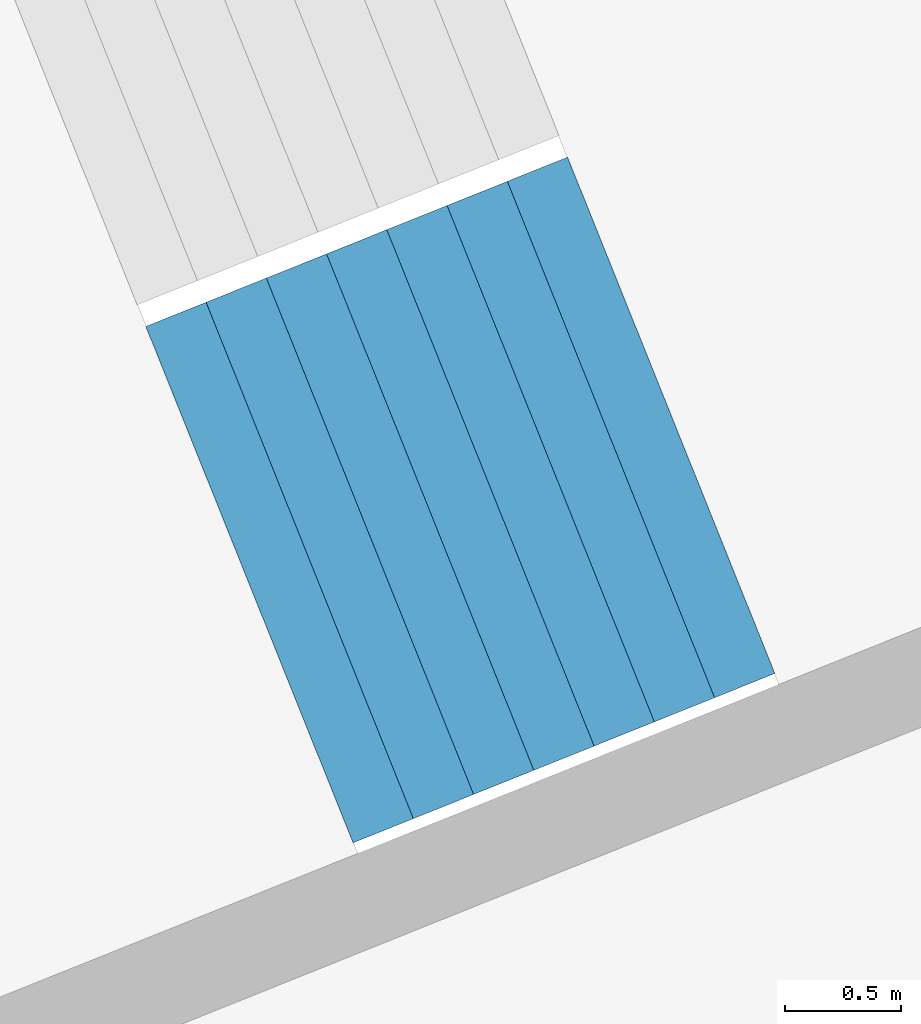
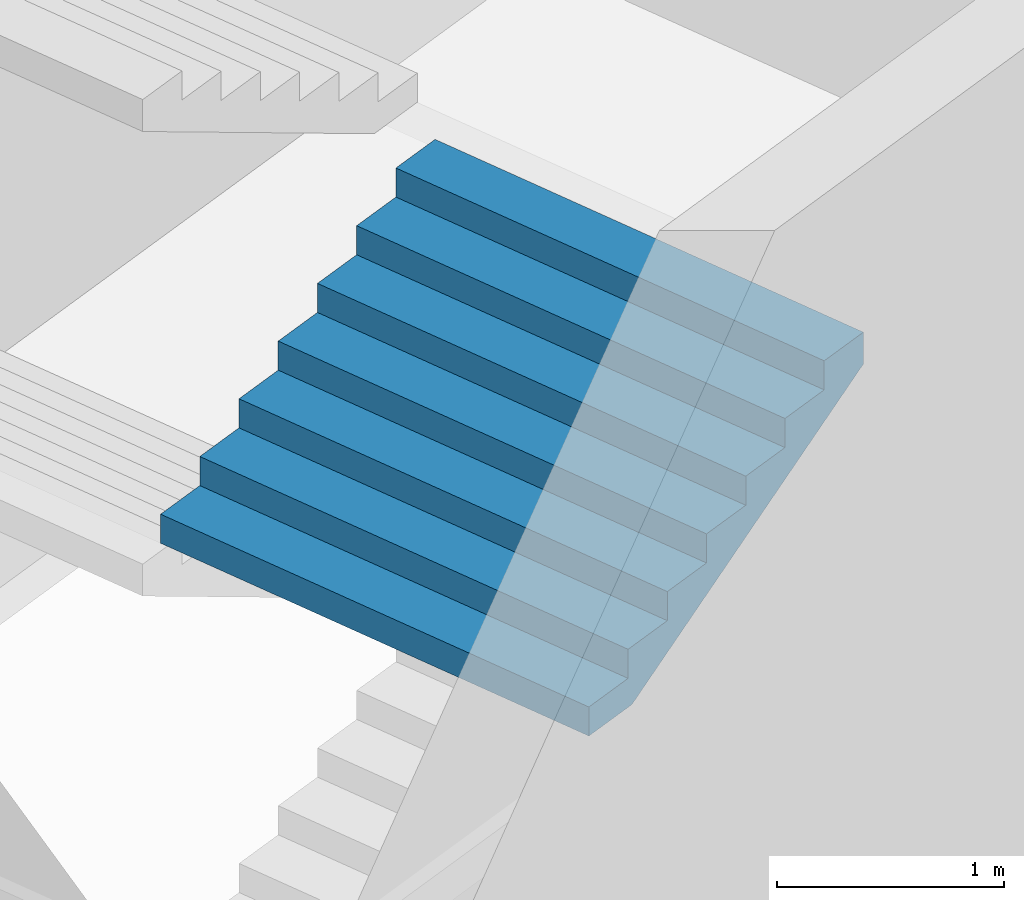
# One storey, part 66 of 73: 1 stair flight, 1 element without a shape of its own.
"""IFC4 building model written with IfcOpenShell, lengths in metres."""

from ifc_helpers import new_model, si_unit, direction, frame, origin, place, context, subcontext, project, spatial, triangles, material, type_object, element, aggregate, save


model = new_model("IFC4")

# Units and contexts
model_context = context("Model", 3, precision=1e-05, world=origin(), true_north=direction((0.0, 1.0)))
body_context = subcontext(model_context, "Body", "Model", "MODEL_VIEW")
ifc_project = project(units=[si_unit("LENGTHUNIT", "METRE"), si_unit("AREAUNIT", "SQUARE_METRE"), si_unit("VOLUMEUNIT", "CUBIC_METRE"), si_unit("PLANEANGLEUNIT", "RADIAN"), si_unit("MASSUNIT", "GRAM", prefix="KILO")], contexts=[model_context])

# Site, building, storey
site_placement = place(None, origin())
site = spatial("IfcSite", under=ifc_project, at=site_placement, CompositionType="ELEMENT")
building_placement = place(site_placement, origin())
building = spatial("IfcBuilding", under=site, at=building_placement, Name="Lantaw Convention Tower", CompositionType="ELEMENT")
storey_placement = place(building_placement, frame((0.0, 0.0, 27.0)))
storey = spatial("IfcBuildingStorey", under=building, at=storey_placement, Name="L04", CompositionType="ELEMENT", Elevation=27.0)

# Stair, stair flight
ifc_material = material(Name="Concrete C35/45", Category="concrete")
stair_type = type_object("IfcStairType", Name="Exit stair 2400 riser 156.25 in 4 flights", PredefinedType="HALF_TURN_STAIR", material=ifc_material)
stair_placement = place(storey_placement, origin())
stair = element("IfcStair", 1, at=stair_placement, inside=storey, type_object=stair_type, Name="Podium exit stair P2 L04", PredefinedType="HALF_TURN_STAIR")
stair_flight_type = type_object("IfcStairFlightType", Name="Stair flight 2400 riser 156.25", PredefinedType="STRAIGHT", material=ifc_material)
stair_flight_placement = place(storey_placement, frame((36.730712890625, 13.398193359375, 2.5), z_axis=(0.0, 0.0, 1.0), x_axis=(0.928015168305, 0.372542410198, 0.0)))
stair_flight = element("IfcStairFlight", 2, at=stair_flight_placement, type_object=stair_flight_type, Name="P2 flight 3", NumberOfRisers=8, NumberOfTreads=7, PredefinedType="STRAIGHT", RiserHeight=0.15625, TreadLength=0.28, context=body_context, shape_type="Tessellation", body=[
    triangles([(0.0, 1.199951171875, 0.0), (0.0, 1.199951171875, 0.15625), (0.28, 1.199951171875, 0.0), (0.28, 1.199951171875, 0.15625), (0.28, 1.199951171875, 0.3125), (0.3076200632058044, 1.199951171875, 0.0), (0.3076200632058044, 1.199951171875, 0.3125), (0.56, 1.199951171875, 0.14083701830033238), (0.56, 1.199951171875, 0.3125), (0.56, 1.199951171875, 0.46875), (0.8400000000000001, 1.199951171875, 0.29708701830033235), (0.8400000000000001, 1.199951171875, 0.46875), (0.8400000000000001, 1.199951171875, 0.625), (1.12, 1.199951171875, 0.45333701830033235), (1.12, 1.199951171875, 0.625), (1.12, 1.199951171875, 0.78125), (1.4000000000000001, 1.199951171875, 0.6095870183003324), (1.4000000000000001, 1.199951171875, 0.78125), (1.4000000000000001, 1.199951171875, 0.9375), (1.6800000000000002, 1.199951171875, 0.7658370183003324), (1.6800000000000002, 1.199951171875, 0.9375), (1.6800000000000002, 1.199951171875, 1.09375), (1.9600000000000002, 1.199951171875, 0.9220870183003324), (1.9600000000000002, 1.199951171875, 1.09375), (0.0, -1.199951171875, 0.0), (0.0, -1.199951171875, 0.15625), (0.28, -1.199951171875, 0.0), (0.28, -1.199951171875, 0.15625), (0.28, -1.199951171875, 0.3125), (0.3076200632058044, -1.199951171875, 0.0), (0.3076200632058044, -1.199951171875, 0.3125), (0.56, -1.199951171875, 0.14083701830033238), (0.56, -1.199951171875, 0.3125), (0.56, -1.199951171875, 0.46875), (0.8400000000000001, -1.199951171875, 0.29708701830033235), (0.8400000000000001, -1.199951171875, 0.46875), (0.8400000000000001, -1.199951171875, 0.625), (1.12, -1.199951171875, 0.45333701830033235), (1.12, -1.199951171875, 0.625), (1.12, -1.199951171875, 0.78125), (1.4000000000000001, -1.199951171875, 0.6095870183003324), (1.4000000000000001, -1.199951171875, 0.78125), (1.4000000000000001, -1.199951171875, 0.9375), (1.6800000000000002, -1.199951171875, 0.7658370183003324), (1.6800000000000002, -1.199951171875, 0.9375), (1.6800000000000002, -1.199951171875, 1.09375), (1.9600000000000002, -1.199951171875, 0.9220870183003324), (1.9600000000000002, -1.199951171875, 1.09375), (0.0, 0.239990234375, 0.15625), (0.0, 0.239990234375, 0.0), (0.0, 0.1919921875, 0.15625), (0.0, 0.1919921875, 0.0), (0.0, 0.143994140625, 0.15625), (0.0, 0.143994140625, 0.0), (0.0, 0.09599609375, 0.15625), (0.0, 0.09599609375, 0.0), (0.0, 0.047998046875, 0.15625), (0.0, 0.047998046875, 0.0), (0.0, 0.0, 0.15625), (0.0, 0.0, 0.0), (0.0, -0.047998046875, 0.15625), (0.0, -0.047998046875, 0.0), (0.0, -0.09599609375, 0.15625), (0.0, -0.09599609375, 0.0), (0.0, -0.143994140625, 0.15625), (0.0, -0.143994140625, 0.0), (0.0, -0.1919921875, 0.15625), (0.0, -0.1919921875, 0.0), (0.0, -0.239990234375, 0.15625), (0.0, -0.239990234375, 0.0), (0.28, 0.239990234375, 0.3125), (0.28, 0.239990234375, 0.15625), (0.28, 0.1919921875, 0.3125), (0.28, 0.1919921875, 0.15625), (0.28, 0.143994140625, 0.3125), (0.28, 0.143994140625, 0.15625), (0.28, 0.09599609375, 0.3125), (0.28, 0.09599609375, 0.15625), (0.28, 0.047998046875, 0.3125), (0.28, 0.047998046875, 0.15625), (0.28, 0.0, 0.3125), (0.28, 0.0, 0.15625), (0.28, -0.047998046875, 0.3125), (0.28, -0.047998046875, 0.15625), (0.28, -0.09599609375, 0.3125), (0.28, -0.09599609375, 0.15625), (0.28, -0.143994140625, 0.3125), (0.28, -0.143994140625, 0.15625), (0.28, -0.1919921875, 0.3125), (0.28, -0.1919921875, 0.15625), (0.28, -0.239990234375, 0.3125), (0.28, -0.239990234375, 0.15625), (0.56, 0.239990234375, 0.46875), (0.56, 0.239990234375, 0.3125), (0.56, 0.1919921875, 0.46875), (0.56, 0.1919921875, 0.3125), (0.56, 0.143994140625, 0.46875), (0.56, 0.143994140625, 0.3125), (0.56, 0.09599609375, 0.46875), (0.56, 0.09599609375, 0.3125), (0.56, 0.047998046875, 0.46875), (0.56, 0.047998046875, 0.3125), (0.56, 0.0, 0.46875), (0.56, 0.0, 0.3125), (0.56, -0.047998046875, 0.46875), (0.56, -0.047998046875, 0.3125), (0.56, -0.09599609375, 0.46875), (0.56, -0.09599609375, 0.3125), (0.56, -0.143994140625, 0.46875), (0.56, -0.143994140625, 0.3125), (0.56, -0.1919921875, 0.46875), (0.56, -0.1919921875, 0.3125), (0.56, -0.239990234375, 0.46875), (0.56, -0.239990234375, 0.3125), (0.8400000000000001, 0.239990234375, 0.625), (0.8400000000000001, 0.239990234375, 0.46875), (0.8400000000000001, 0.1919921875, 0.625), (0.8400000000000001, 0.1919921875, 0.46875), (0.8400000000000001, 0.143994140625, 0.625), (0.8400000000000001, 0.143994140625, 0.46875), (0.8400000000000001, 0.09599609375, 0.625), (0.8400000000000001, 0.09599609375, 0.46875), (0.8400000000000001, 0.047998046875, 0.625), (0.8400000000000001, 0.047998046875, 0.46875), (0.8400000000000001, 0.0, 0.625), (0.8400000000000001, 0.0, 0.46875), (0.8400000000000001, -0.047998046875, 0.625), (0.8400000000000001, -0.047998046875, 0.46875), (0.8400000000000001, -0.09599609375, 0.625), (0.8400000000000001, -0.09599609375, 0.46875), (0.8400000000000001, -0.143994140625, 0.625), (0.8400000000000001, -0.143994140625, 0.46875), (0.8400000000000001, -0.1919921875, 0.625), (0.8400000000000001, -0.1919921875, 0.46875), (0.8400000000000001, -0.239990234375, 0.625), (0.8400000000000001, -0.239990234375, 0.46875), (1.12, 0.239990234375, 0.78125), (1.12, 0.239990234375, 0.625), (1.12, 0.1919921875, 0.78125), (1.12, 0.1919921875, 0.625), (1.12, 0.143994140625, 0.78125), (1.12, 0.143994140625, 0.625), (1.12, 0.09599609375, 0.78125), (1.12, 0.09599609375, 0.625), (1.12, 0.047998046875, 0.78125), (1.12, 0.047998046875, 0.625), (1.12, 0.0, 0.78125), (1.12, 0.0, 0.625), (1.12, -0.047998046875, 0.78125), (1.12, -0.047998046875, 0.625), (1.12, -0.09599609375, 0.78125), (1.12, -0.09599609375, 0.625), (1.12, -0.143994140625, 0.78125), (1.12, -0.143994140625, 0.625), (1.12, -0.1919921875, 0.78125), (1.12, -0.1919921875, 0.625), (1.12, -0.239990234375, 0.78125), (1.12, -0.239990234375, 0.625), (1.4000000000000001, 0.239990234375, 0.9375), (1.4000000000000001, 0.239990234375, 0.78125), (1.4000000000000001, 0.1919921875, 0.9375), (1.4000000000000001, 0.1919921875, 0.78125), (1.4000000000000001, 0.143994140625, 0.9375), (1.4000000000000001, 0.143994140625, 0.78125), (1.4000000000000001, 0.09599609375, 0.9375), (1.4000000000000001, 0.09599609375, 0.78125), (1.4000000000000001, 0.047998046875, 0.9375), (1.4000000000000001, 0.047998046875, 0.78125), (1.4000000000000001, 0.0, 0.9375), (1.4000000000000001, 0.0, 0.78125), (1.4000000000000001, -0.047998046875, 0.9375), (1.4000000000000001, -0.047998046875, 0.78125), (1.4000000000000001, -0.09599609375, 0.9375), (1.4000000000000001, -0.09599609375, 0.78125), (1.4000000000000001, -0.143994140625, 0.9375), (1.4000000000000001, -0.143994140625, 0.78125), (1.4000000000000001, -0.1919921875, 0.9375), (1.4000000000000001, -0.1919921875, 0.78125), (1.4000000000000001, -0.239990234375, 0.9375), (1.4000000000000001, -0.239990234375, 0.78125), (1.6800000000000002, 0.239990234375, 1.09375), (1.6800000000000002, 0.239990234375, 0.9375), (1.6800000000000002, 0.1919921875, 1.09375), (1.6800000000000002, 0.1919921875, 0.9375), (1.6800000000000002, 0.143994140625, 1.09375), (1.6800000000000002, 0.143994140625, 0.9375), (1.6800000000000002, 0.09599609375, 1.09375), (1.6800000000000002, 0.09599609375, 0.9375), (1.6800000000000002, 0.047998046875, 1.09375), (1.6800000000000002, 0.047998046875, 0.9375), (1.6800000000000002, 0.0, 1.09375), (1.6800000000000002, 0.0, 0.9375), (1.6800000000000002, -0.047998046875, 1.09375), (1.6800000000000002, -0.047998046875, 0.9375), (1.6800000000000002, -0.09599609375, 1.09375), (1.6800000000000002, -0.09599609375, 0.9375), (1.6800000000000002, -0.143994140625, 1.09375), (1.6800000000000002, -0.143994140625, 0.9375), (1.6800000000000002, -0.1919921875, 1.09375), (1.6800000000000002, -0.1919921875, 0.9375), (1.6800000000000002, -0.239990234375, 1.09375), (1.6800000000000002, -0.239990234375, 0.9375), (0.3076200632058044, 0.239990234375, 0.3125), (0.3076200632058044, 0.1919921875, 0.3125), (0.3076200632058044, 0.143994140625, 0.3125), (0.3076200632058044, 0.09599609375, 0.3125), (0.3076200632058044, 0.047998046875, 0.3125), (0.3076200632058044, 0.0, 0.3125), (0.3076200632058044, -0.047998046875, 0.3125), (0.3076200632058044, -0.09599609375, 0.3125), (0.3076200632058044, -0.143994140625, 0.3125), (0.3076200632058044, -0.1919921875, 0.3125), (0.3076200632058044, -0.239990234375, 0.3125), (1.9600000000000002, 0.239990234375, 1.09375), (1.9600000000000002, 0.1919921875, 1.09375), (1.9600000000000002, 0.143994140625, 1.09375), (1.9600000000000002, 0.09599609375, 1.09375), (1.9600000000000002, 0.047998046875, 1.09375), (1.9600000000000002, 0.0, 1.09375), (1.9600000000000002, -0.047998046875, 1.09375), (1.9600000000000002, -0.09599609375, 1.09375), (1.9600000000000002, -0.143994140625, 1.09375), (1.9600000000000002, -0.1919921875, 1.09375), (1.9600000000000002, -0.239990234375, 1.09375), (1.9600000000000002, 0.239990234375, 0.9220870183003324), (1.9600000000000002, 0.1919921875, 0.9220870183003324), (1.9600000000000002, 0.143994140625, 0.9220870183003324), (1.9600000000000002, 0.09599609375, 0.9220870183003324), (1.9600000000000002, 0.047998046875, 0.9220870183003324), (1.9600000000000002, 0.0, 0.9220870183003324), (1.9600000000000002, -0.047998046875, 0.9220870183003324), (1.9600000000000002, -0.09599609375, 0.9220870183003324), (1.9600000000000002, -0.143994140625, 0.9220870183003324), (1.9600000000000002, -0.1919921875, 0.9220870183003324), (1.9600000000000002, -0.239990234375, 0.9220870183003324), (1.6800000000000002, 0.239990234375, 0.7658370183003324), (1.6800000000000002, 0.1919921875, 0.7658370183003324), (1.6800000000000002, 0.143994140625, 0.7658370183003324), (1.6800000000000002, 0.09599609375, 0.7658370183003324), (1.6800000000000002, 0.047998046875, 0.7658370183003324), (1.6800000000000002, 0.0, 0.7658370183003324), (1.6800000000000002, -0.047998046875, 0.7658370183003324), (1.6800000000000002, -0.09599609375, 0.7658370183003324), (1.6800000000000002, -0.143994140625, 0.7658370183003324), (1.6800000000000002, -0.1919921875, 0.7658370183003324), (1.6800000000000002, -0.239990234375, 0.7658370183003324), (1.4000000000000001, 0.239990234375, 0.6095870183003324), (1.4000000000000001, 0.1919921875, 0.6095870183003324), (1.4000000000000001, 0.143994140625, 0.6095870183003324), (1.4000000000000001, 0.09599609375, 0.6095870183003324), (1.4000000000000001, 0.047998046875, 0.6095870183003324), (1.4000000000000001, 0.0, 0.6095870183003324), (1.4000000000000001, -0.047998046875, 0.6095870183003324), (1.4000000000000001, -0.09599609375, 0.6095870183003324), (1.4000000000000001, -0.143994140625, 0.6095870183003324), (1.4000000000000001, -0.1919921875, 0.6095870183003324), (1.4000000000000001, -0.239990234375, 0.6095870183003324), (1.12, 0.239990234375, 0.45333701830033235), (1.12, 0.1919921875, 0.45333701830033235), (1.12, 0.143994140625, 0.45333701830033235), (1.12, 0.09599609375, 0.45333701830033235), (1.12, 0.047998046875, 0.45333701830033235), (1.12, 0.0, 0.45333701830033235), (1.12, -0.047998046875, 0.45333701830033235), (1.12, -0.09599609375, 0.45333701830033235), (1.12, -0.143994140625, 0.45333701830033235), (1.12, -0.1919921875, 0.45333701830033235), (1.12, -0.239990234375, 0.45333701830033235), (0.8400000000000001, 0.239990234375, 0.29708701830033235), (0.8400000000000001, 0.1919921875, 0.29708701830033235), (0.8400000000000001, 0.143994140625, 0.29708701830033235), (0.8400000000000001, 0.09599609375, 0.29708701830033235), (0.8400000000000001, 0.047998046875, 0.29708701830033235), (0.8400000000000001, 0.0, 0.29708701830033235), (0.8400000000000001, -0.047998046875, 0.29708701830033235), (0.8400000000000001, -0.09599609375, 0.29708701830033235), (0.8400000000000001, -0.143994140625, 0.29708701830033235), (0.8400000000000001, -0.1919921875, 0.29708701830033235), (0.8400000000000001, -0.239990234375, 0.29708701830033235), (0.56, 0.239990234375, 0.14083701830033238), (0.56, 0.1919921875, 0.14083701830033238), (0.56, 0.143994140625, 0.14083701830033238), (0.56, 0.09599609375, 0.14083701830033238), (0.56, 0.047998046875, 0.14083701830033238), (0.56, 0.0, 0.14083701830033238), (0.56, -0.047998046875, 0.14083701830033238), (0.56, -0.09599609375, 0.14083701830033238), (0.56, -0.143994140625, 0.14083701830033238), (0.56, -0.1919921875, 0.14083701830033238), (0.56, -0.239990234375, 0.14083701830033238), (0.3076200632058044, 0.239990234375, 0.0), (0.3076200632058044, 0.1919921875, 0.0), (0.3076200632058044, 0.143994140625, 0.0), (0.3076200632058044, 0.09599609375, 0.0), (0.3076200632058044, 0.047998046875, 0.0), (0.3076200632058044, 0.0, 0.0), (0.3076200632058044, -0.047998046875, 0.0), (0.3076200632058044, -0.09599609375, 0.0), (0.3076200632058044, -0.143994140625, 0.0), (0.3076200632058044, -0.1919921875, 0.0), (0.3076200632058044, -0.239990234375, 0.0), (0.28, 0.239990234375, 0.0), (0.28, 0.1919921875, 0.0), (0.28, 0.143994140625, 0.0), (0.28, 0.09599609375, 0.0), (0.28, 0.047998046875, 0.0), (0.28, 0.0, 0.0), (0.28, -0.047998046875, 0.0), (0.28, -0.09599609375, 0.0), (0.28, -0.143994140625, 0.0), (0.28, -0.1919921875, 0.0), (0.28, -0.239990234375, 0.0)], [[1, 4, 3], [1, 2, 4], [3, 4, 6], [4, 7, 6], [4, 5, 7], [6, 9, 8], [6, 7, 9], [8, 9, 11], [9, 12, 11], [9, 10, 12], [11, 12, 14], [12, 15, 14], [12, 13, 15], [14, 15, 17], [15, 18, 17], [15, 16, 18], [17, 18, 20], [18, 21, 20], [18, 19, 21], [20, 21, 23], [21, 24, 23], [21, 22, 24], [25, 27, 28], [25, 28, 26], [27, 30, 28], [28, 30, 31], [28, 31, 29], [30, 32, 33], [30, 33, 31], [32, 35, 33], [33, 35, 36], [33, 36, 34], [35, 38, 36], [36, 38, 39], [36, 39, 37], [38, 41, 39], [39, 41, 42], [39, 42, 40], [41, 44, 42], [42, 44, 45], [42, 45, 43], [44, 47, 45], [45, 47, 48], [45, 48, 46], [1, 49, 2], [1, 50, 49], [50, 51, 49], [50, 52, 51], [52, 53, 51], [52, 54, 53], [54, 55, 53], [54, 56, 55], [56, 57, 55], [56, 58, 57], [58, 59, 57], [58, 60, 59], [60, 61, 59], [60, 62, 61], [62, 63, 61], [62, 64, 63], [64, 65, 63], [64, 66, 65], [66, 67, 65], [66, 68, 67], [68, 69, 67], [68, 70, 69], [70, 26, 69], [70, 25, 26], [4, 71, 5], [4, 72, 71], [72, 73, 71], [72, 74, 73], [74, 75, 73], [74, 76, 75], [76, 77, 75], [76, 78, 77], [78, 79, 77], [78, 80, 79], [80, 81, 79], [80, 82, 81], [82, 83, 81], [82, 84, 83], [84, 85, 83], [84, 86, 85], [86, 87, 85], [86, 88, 87], [88, 89, 87], [88, 90, 89], [90, 91, 89], [90, 92, 91], [92, 29, 91], [92, 28, 29], [9, 93, 10], [9, 94, 93], [94, 95, 93], [94, 96, 95], [96, 97, 95], [96, 98, 97], [98, 99, 97], [98, 100, 99], [100, 101, 99], [100, 102, 101], [102, 103, 101], [102, 104, 103], [104, 105, 103], [104, 106, 105], [106, 107, 105], [106, 108, 107], [108, 109, 107], [108, 110, 109], [110, 111, 109], [110, 112, 111], [112, 113, 111], [112, 114, 113], [114, 34, 113], [114, 33, 34], [12, 115, 13], [12, 116, 115], [116, 117, 115], [116, 118, 117], [118, 119, 117], [118, 120, 119], [120, 121, 119], [120, 122, 121], [122, 123, 121], [122, 124, 123], [124, 125, 123], [124, 126, 125], [126, 127, 125], [126, 128, 127], [128, 129, 127], [128, 130, 129], [130, 131, 129], [130, 132, 131], [132, 133, 131], [132, 134, 133], [134, 135, 133], [134, 136, 135], [136, 37, 135], [136, 36, 37], [15, 137, 16], [15, 138, 137], [138, 139, 137], [138, 140, 139], [140, 141, 139], [140, 142, 141], [142, 143, 141], [142, 144, 143], [144, 145, 143], [144, 146, 145], [146, 147, 145], [146, 148, 147], [148, 149, 147], [148, 150, 149], [150, 151, 149], [150, 152, 151], [152, 153, 151], [152, 154, 153], [154, 155, 153], [154, 156, 155], [156, 157, 155], [156, 158, 157], [158, 40, 157], [158, 39, 40], [18, 159, 19], [18, 160, 159], [160, 161, 159], [160, 162, 161], [162, 163, 161], [162, 164, 163], [164, 165, 163], [164, 166, 165], [166, 167, 165], [166, 168, 167], [168, 169, 167], [168, 170, 169], [170, 171, 169], [170, 172, 171], [172, 173, 171], [172, 174, 173], [174, 175, 173], [174, 176, 175], [176, 177, 175], [176, 178, 177], [178, 179, 177], [178, 180, 179], [180, 43, 179], [180, 42, 43], [21, 181, 22], [21, 182, 181], [182, 183, 181], [182, 184, 183], [184, 185, 183], [184, 186, 185], [186, 187, 185], [186, 188, 187], [188, 189, 187], [188, 190, 189], [190, 191, 189], [190, 192, 191], [192, 193, 191], [192, 194, 193], [194, 195, 193], [194, 196, 195], [196, 197, 195], [196, 198, 197], [198, 199, 197], [198, 200, 199], [200, 201, 199], [200, 202, 201], [202, 46, 201], [202, 45, 46], [2, 72, 4], [2, 49, 72], [49, 74, 72], [49, 51, 74], [51, 76, 74], [51, 53, 76], [53, 78, 76], [53, 55, 78], [55, 80, 78], [55, 57, 80], [57, 82, 80], [57, 59, 82], [59, 84, 82], [59, 61, 84], [61, 86, 84], [61, 63, 86], [63, 88, 86], [63, 65, 88], [65, 90, 88], [65, 67, 90], [67, 92, 90], [67, 69, 92], [69, 28, 92], [69, 26, 28], [5, 203, 7], [5, 71, 203], [71, 204, 203], [71, 73, 204], [73, 205, 204], [73, 75, 205], [75, 206, 205], [75, 77, 206], [77, 207, 206], [77, 79, 207], [79, 208, 207], [79, 81, 208], [81, 209, 208], [81, 83, 209], [83, 210, 209], [83, 85, 210], [85, 211, 210], [85, 87, 211], [87, 212, 211], [87, 89, 212], [89, 213, 212], [89, 91, 213], [91, 31, 213], [91, 29, 31], [7, 94, 9], [7, 203, 94], [203, 96, 94], [203, 204, 96], [204, 98, 96], [204, 205, 98], [205, 100, 98], [205, 206, 100], [206, 102, 100], [206, 207, 102], [207, 104, 102], [207, 208, 104], [208, 106, 104], [208, 209, 106], [209, 108, 106], [209, 210, 108], [210, 110, 108], [210, 211, 110], [211, 112, 110], [211, 212, 112], [212, 114, 112], [212, 213, 114], [213, 33, 114], [213, 31, 33], [10, 116, 12], [10, 93, 116], [93, 118, 116], [93, 95, 118], [95, 120, 118], [95, 97, 120], [97, 122, 120], [97, 99, 122], [99, 124, 122], [99, 101, 124], [101, 126, 124], [101, 103, 126], [103, 128, 126], [103, 105, 128], [105, 130, 128], [105, 107, 130], [107, 132, 130], [107, 109, 132], [109, 134, 132], [109, 111, 134], [111, 136, 134], [111, 113, 136], [113, 36, 136], [113, 34, 36], [13, 138, 15], [13, 115, 138], [115, 140, 138], [115, 117, 140], [117, 142, 140], [117, 119, 142], [119, 144, 142], [119, 121, 144], [121, 146, 144], [121, 123, 146], [123, 148, 146], [123, 125, 148], [125, 150, 148], [125, 127, 150], [127, 152, 150], [127, 129, 152], [129, 154, 152], [129, 131, 154], [131, 156, 154], [131, 133, 156], [133, 158, 156], [133, 135, 158], [135, 39, 158], [135, 37, 39], [16, 160, 18], [16, 137, 160], [137, 162, 160], [137, 139, 162], [139, 164, 162], [139, 141, 164], [141, 166, 164], [141, 143, 166], [143, 168, 166], [143, 145, 168], [145, 170, 168], [145, 147, 170], [147, 172, 170], [147, 149, 172], [149, 174, 172], [149, 151, 174], [151, 176, 174], [151, 153, 176], [153, 178, 176], [153, 155, 178], [155, 180, 178], [155, 157, 180], [157, 42, 180], [157, 40, 42], [19, 182, 21], [19, 159, 182], [159, 184, 182], [159, 161, 184], [161, 186, 184], [161, 163, 186], [163, 188, 186], [163, 165, 188], [165, 190, 188], [165, 167, 190], [167, 192, 190], [167, 169, 192], [169, 194, 192], [169, 171, 194], [171, 196, 194], [171, 173, 196], [173, 198, 196], [173, 175, 198], [175, 200, 198], [175, 177, 200], [177, 202, 200], [177, 179, 202], [179, 45, 202], [179, 43, 45], [22, 214, 24], [22, 181, 214], [181, 215, 214], [181, 183, 215], [183, 216, 215], [183, 185, 216], [185, 217, 216], [185, 187, 217], [187, 218, 217], [187, 189, 218], [189, 219, 218], [189, 191, 219], [191, 220, 219], [191, 193, 220], [193, 221, 220], [193, 195, 221], [195, 222, 221], [195, 197, 222], [197, 223, 222], [197, 199, 223], [199, 224, 223], [199, 201, 224], [201, 48, 224], [201, 46, 48], [24, 225, 23], [24, 214, 225], [214, 226, 225], [214, 215, 226], [215, 227, 226], [215, 216, 227], [216, 228, 227], [216, 217, 228], [217, 229, 228], [217, 218, 229], [218, 230, 229], [218, 219, 230], [219, 231, 230], [219, 220, 231], [220, 232, 231], [220, 221, 232], [221, 233, 232], [221, 222, 233], [222, 234, 233], [222, 223, 234], [223, 235, 234], [223, 224, 235], [224, 47, 235], [224, 48, 47], [23, 236, 20], [23, 225, 236], [225, 237, 236], [225, 226, 237], [226, 238, 237], [226, 227, 238], [227, 239, 238], [227, 228, 239], [228, 240, 239], [228, 229, 240], [229, 241, 240], [229, 230, 241], [230, 242, 241], [230, 231, 242], [231, 243, 242], [231, 232, 243], [232, 244, 243], [232, 233, 244], [233, 245, 244], [233, 234, 245], [234, 246, 245], [234, 235, 246], [235, 44, 246], [235, 47, 44], [20, 247, 17], [20, 236, 247], [236, 248, 247], [236, 237, 248], [237, 249, 248], [237, 238, 249], [238, 250, 249], [238, 239, 250], [239, 251, 250], [239, 240, 251], [240, 252, 251], [240, 241, 252], [241, 253, 252], [241, 242, 253], [242, 254, 253], [242, 243, 254], [243, 255, 254], [243, 244, 255], [244, 256, 255], [244, 245, 256], [245, 257, 256], [245, 246, 257], [246, 41, 257], [246, 44, 41], [17, 258, 14], [17, 247, 258], [247, 259, 258], [247, 248, 259], [248, 260, 259], [248, 249, 260], [249, 261, 260], [249, 250, 261], [250, 262, 261], [250, 251, 262], [251, 263, 262], [251, 252, 263], [252, 264, 263], [252, 253, 264], [253, 265, 264], [253, 254, 265], [254, 266, 265], [254, 255, 266], [255, 267, 266], [255, 256, 267], [256, 268, 267], [256, 257, 268], [257, 38, 268], [257, 41, 38], [14, 269, 11], [14, 258, 269], [258, 270, 269], [258, 259, 270], [259, 271, 270], [259, 260, 271], [260, 272, 271], [260, 261, 272], [261, 273, 272], [261, 262, 273], [262, 274, 273], [262, 263, 274], [263, 275, 274], [263, 264, 275], [264, 276, 275], [264, 265, 276], [265, 277, 276], [265, 266, 277], [266, 278, 277], [266, 267, 278], [267, 279, 278], [267, 268, 279], [268, 35, 279], [268, 38, 35], [11, 280, 8], [11, 269, 280], [269, 281, 280], [269, 270, 281], [270, 282, 281], [270, 271, 282], [271, 283, 282], [271, 272, 283], [272, 284, 283], [272, 273, 284], [273, 285, 284], [273, 274, 285], [274, 286, 285], [274, 275, 286], [275, 287, 286], [275, 276, 287], [276, 288, 287], [276, 277, 288], [277, 289, 288], [277, 278, 289], [278, 290, 289], [278, 279, 290], [279, 32, 290], [279, 35, 32], [8, 291, 6], [8, 280, 291], [280, 292, 291], [280, 281, 292], [281, 293, 292], [281, 282, 293], [282, 294, 293], [282, 283, 294], [283, 295, 294], [283, 284, 295], [284, 296, 295], [284, 285, 296], [285, 297, 296], [285, 286, 297], [286, 298, 297], [286, 287, 298], [287, 299, 298], [287, 288, 299], [288, 300, 299], [288, 289, 300], [289, 301, 300], [289, 290, 301], [290, 30, 301], [290, 32, 30], [6, 302, 3], [6, 291, 302], [291, 303, 302], [291, 292, 303], [292, 304, 303], [292, 293, 304], [293, 305, 304], [293, 294, 305], [294, 306, 305], [294, 295, 306], [295, 307, 306], [295, 296, 307], [296, 308, 307], [296, 297, 308], [297, 309, 308], [297, 298, 309], [298, 310, 309], [298, 299, 310], [299, 311, 310], [299, 300, 311], [300, 312, 311], [300, 301, 312], [301, 27, 312], [301, 30, 27], [3, 50, 1], [3, 302, 50], [302, 52, 50], [302, 303, 52], [303, 54, 52], [303, 304, 54], [304, 56, 54], [304, 305, 56], [305, 58, 56], [305, 306, 58], [306, 60, 58], [306, 307, 60], [307, 62, 60], [307, 308, 62], [308, 64, 62], [308, 309, 64], [309, 66, 64], [309, 310, 66], [310, 68, 66], [310, 311, 68], [311, 70, 68], [311, 312, 70], [312, 25, 70], [312, 27, 25]], closed=True),
])
aggregate(stair, [stair_flight])

save(model, "model.ifc")
